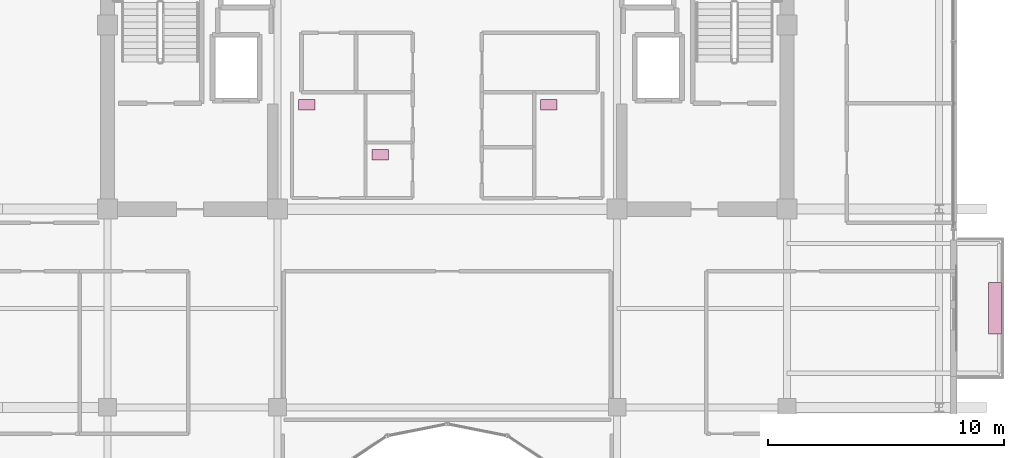
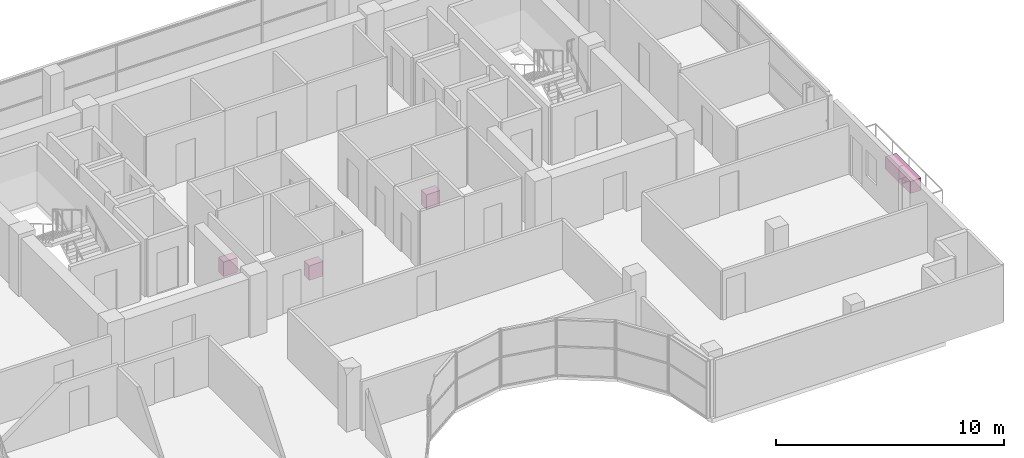
# One storey, part 29 of 29: 4 furnishings.
"""IFC4 building model written with IfcOpenShell, lengths in metres."""

from ifc_helpers import new_model, si_unit, direction, frame, origin, origin_2d, place, context, subcontext, project, spatial, rectangle, extrude, source, transform, mapped, material, type_object, element, save


model = new_model("IFC4")

# Units and contexts
model_context = context("Model", 3, precision=1e-05, world=origin(), true_north=direction((0.0, 1.0)))
body_context = subcontext(model_context, "Body", "Model", "MODEL_VIEW")
ifc_project = project(units=[si_unit("LENGTHUNIT", "METRE"), si_unit("AREAUNIT", "SQUARE_METRE"), si_unit("VOLUMEUNIT", "CUBIC_METRE"), si_unit("PLANEANGLEUNIT", "RADIAN"), si_unit("MASSUNIT", "GRAM", prefix="KILO")], contexts=[model_context])

# Site, building, storey
site_placement = place(None, origin())
site = spatial("IfcSite", under=ifc_project, at=site_placement, CompositionType="ELEMENT")
building_placement = place(site_placement, origin())
building = spatial("IfcBuilding", under=site, at=building_placement, Name="Zarnakvel Exchange Tower", CompositionType="ELEMENT")
storey_placement = place(building_placement, frame((0.0, 0.0, 258.39990234375)))
storey = spatial("IfcBuildingStorey", under=building, at=storey_placement, Name="L73", CompositionType="ELEMENT", Elevation=258.39990234375)

# Furnishings
ifc_material_1 = material(Name="Architectural Bronze Anodised Aluminium", Category="aluminium")
furnishing_element_type_1 = type_object("IfcFurnishingElementType", Name="PLNT-01", material=ifc_material_1)
shared_shape_1 = source(origin(), body_context, "Body", "SweptSolid", [
    extrude(rectangle(XDim=2.199951171875, YDim=0.550048828125, at=origin_2d()), origin(), (0.0, 0.0, 1.0), 0.64990234375),
])
furnishing_placement = place(storey_placement, frame((23.219970703125, -5.39990234375, -0.034912109375), z_axis=(0.0, 0.0, 1.0), x_axis=(0.0, 1.0, 0.0)))
element("IfcFurnishingElement", 1, at=furnishing_placement, inside=storey, type_object=furnishing_element_type_1, Name="L73 Balcony Greenery Planter BAL-L73-E", ObjectType="PLANTER", context=body_context, shape_type="MappedRepresentation", body=[
    mapped(shared_shape_1, transform((0.0, 0.0, 0.0), x_axis=(1.0, 0.0, 0.0), y_axis=(0.0, 1.0, 0.0), z_axis=(0.0, 0.0, 1.0), scale=1.0)),
])
ifc_material_2 = material(Name="Vitreous China Sanitaryware", Category="ceramic")
furnishing_element_type_2 = type_object("IfcFurnishingElementType", Name="SAN-WC", material=ifc_material_2)
shared_shape_2 = source(origin(), body_context, "Body", "SweptSolid", [
    extrude(rectangle(XDim=0.699951171875, YDim=0.449951171875, at=origin_2d()), origin(), (0.0, 0.0, 1.0), 0.780029296875),
])
for number, where, z_axis, x_axis, name in (
    (2, (-5.949951171875, 3.22998046875, 0.0), (0.0, 0.0, 1.0), (1.0, 0.0, 0.0), "L73 Sanitary Fixture (Male Toilet)"),
    (3, (-2.840087890625, 1.10009765625, 0.0), (0.0, 0.0, 1.0), (1.0, 0.0, 0.0), "L73 Sanitary Fixture (Accessible Toilet)"),
    (4, (4.31005859375, 3.22998046875, 0.0), (0.0, 0.0, 1.0), (1.0, 0.0, 0.0), "L73 Sanitary Fixture (Female Toilet)"),
):
    element("IfcFurnishingElement", number, at=place(storey_placement, frame(where, z_axis=z_axis, x_axis=x_axis)), inside=storey, type_object=furnishing_element_type_2, Name=name, ObjectType="SANITARY_FIXTURE", context=body_context, shape_type="MappedRepresentation", body=[
        mapped(shared_shape_2, transform((0.0, 0.0, 0.0), x_axis=(1.0, 0.0, 0.0), y_axis=(0.0, 1.0, 0.0), z_axis=(0.0, 0.0, 1.0), scale=1.0)),
    ])

save(model, "model.ifc")
